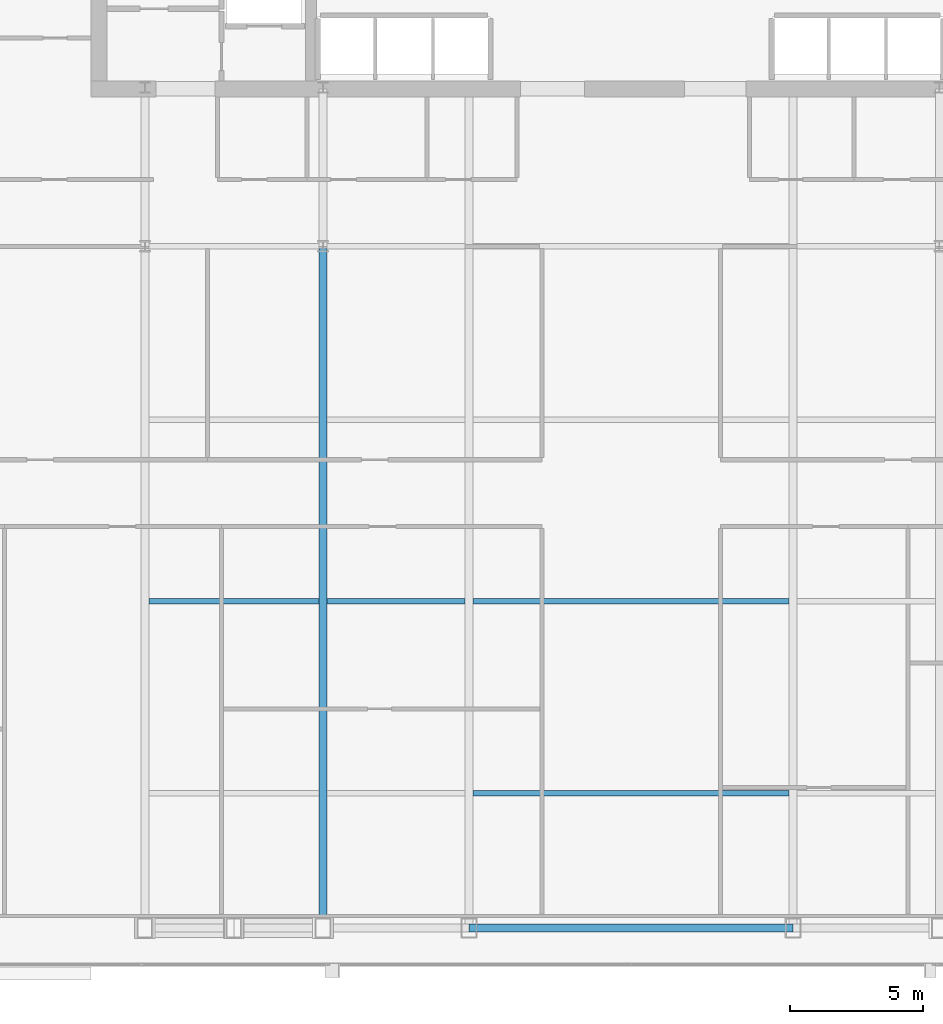
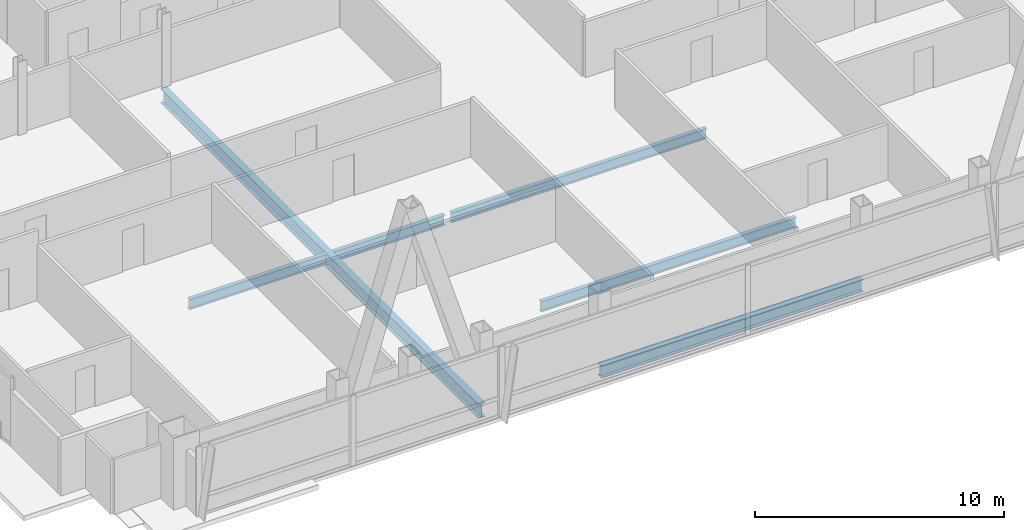
# One storey, part 9 of 32: 6 beams.
"""IFC4 building model written with IfcOpenShell, lengths in metres."""

from ifc_helpers import new_model, si_unit, direction, frame, origin, origin_2d, place, context, subcontext, project, spatial, i_section, extrude, material, material_profile, profile_set, type_object, element, save


model = new_model("IFC4")

# Units and contexts
model_context = context("Model", 3, precision=1e-05, world=origin(), true_north=direction((0.0, 1.0)))
body_context = subcontext(model_context, "Body", "Model", "MODEL_VIEW")
ifc_project = project(units=[si_unit("LENGTHUNIT", "METRE"), si_unit("AREAUNIT", "SQUARE_METRE"), si_unit("VOLUMEUNIT", "CUBIC_METRE"), si_unit("PLANEANGLEUNIT", "RADIAN"), si_unit("MASSUNIT", "GRAM", prefix="KILO")], contexts=[model_context])

# Site, building, storey
site_placement = place(None, origin())
site = spatial("IfcSite", under=ifc_project, at=site_placement, CompositionType="ELEMENT")
building_placement = place(site_placement, origin())
building = spatial("IfcBuilding", under=site, at=building_placement, Name="Khoronbel Lancet Exchange", CompositionType="ELEMENT")
storey_placement = place(building_placement, frame((0.0, 0.0, 188.60009765625)))
storey = spatial("IfcBuildingStorey", under=building, at=storey_placement, Name="L47", CompositionType="ELEMENT", Elevation=188.60009765625)

# Beams
ifc_material = material(Name="Steel S355", Category="steel")
ifc_material_profile_1 = material_profile(ifc_material, i_section(OverallWidth=0.300048828125, OverallDepth=0.699951171875, WebThickness=0.01708984375, FlangeThickness=0.031982421875, at=origin_2d()), Name="HEB 700")
ifc_profile_set_1 = profile_set([ifc_material_profile_1], Name="Steel S355")
beam_type_1 = type_object("IfcBeamType", Name="BM-BG3", PredefinedType="BEAM", material=ifc_profile_set_1)
beam_1_placement = place(storey_placement, frame((24.89990234375, 10.14990234375, -0.510009765625), z_axis=(0.0, 1.0, 0.0), x_axis=(-1.0, 0.0, 0.0)))
element("IfcBeam", 1, at=beam_1_placement, inside=storey, type_object=beam_type_1, Name="Level L47 south primary girder GS2", PredefinedType="BEAM", context=body_context, shape_type="SweptSolid", body=[
    extrude(i_section(OverallWidth=0.300048828125, OverallDepth=0.699951171875, WebThickness=0.01708984375, FlangeThickness=0.031982421875, at=origin_2d()), origin(), (0.0, 0.0, 1.0), 25.550048828125),
])
ifc_material_profile_2 = material_profile(ifc_material, i_section(OverallWidth=0.199951171875, OverallDepth=0.5, WebThickness=0.01025390625, FlangeThickness=0.01611328125, at=origin_2d()), Name="IPE 500")
ifc_profile_set_2 = profile_set([ifc_material_profile_2], Name="Steel S355")
beam_type_2 = type_object("IfcBeamType", Name="BM-BJ3", PredefinedType="JOIST", material=ifc_profile_set_2)
beam_2_placement = place(storey_placement, frame((30.52490234375, 15.199951171875, -0.41015625), z_axis=(1.0, 0.0, 0.0), x_axis=(0.0, 1.0, 0.0)))
element("IfcBeam", 2, at=beam_2_placement, inside=storey, type_object=beam_type_2, Name="Level L47 secondary composite joist J03", PredefinedType="JOIST", context=body_context, shape_type="SweptSolid", body=[
    extrude(i_section(OverallWidth=0.199951171875, OverallDepth=0.5, WebThickness=0.01025390625, FlangeThickness=0.01611328125, at=origin_2d()), origin(), (0.0, 0.0, 1.0), 11.85009765625),
])
beam_3_placement = place(storey_placement, frame((18.375, 22.39990234375, -0.41015625), z_axis=(1.0, 0.0, 0.0), x_axis=(0.0, 1.0, 0.0)))
element("IfcBeam", 3, at=beam_3_placement, inside=storey, type_object=beam_type_2, Name="Level L47 secondary composite joist J06", PredefinedType="JOIST", context=body_context, shape_type="SweptSolid", body=[
    extrude(i_section(OverallWidth=0.199951171875, OverallDepth=0.5, WebThickness=0.01025390625, FlangeThickness=0.01611328125, at=origin_2d()), origin(), (0.0, 0.0, 1.0), 6.375),
])
beam_4_placement = place(storey_placement, frame((25.050048828125, 22.39990234375, -0.41015625), z_axis=(1.0, 0.0, 0.0), x_axis=(0.0, 1.0, 0.0)))
element("IfcBeam", 4, at=beam_4_placement, inside=storey, type_object=beam_type_2, Name="Level L47 secondary composite joist J07", PredefinedType="JOIST", context=body_context, shape_type="SweptSolid", body=[
    extrude(i_section(OverallWidth=0.199951171875, OverallDepth=0.5, WebThickness=0.01025390625, FlangeThickness=0.01611328125, at=origin_2d()), origin(), (0.0, 0.0, 1.0), 5.175048828125),
])
beam_5_placement = place(storey_placement, frame((30.52490234375, 22.39990234375, -0.41015625), z_axis=(1.0, 0.0, 0.0), x_axis=(0.0, 1.0, 0.0)))
element("IfcBeam", 5, at=beam_5_placement, inside=storey, type_object=beam_type_2, Name="Level L47 secondary composite joist J08", PredefinedType="JOIST", context=body_context, shape_type="SweptSolid", body=[
    extrude(i_section(OverallWidth=0.199951171875, OverallDepth=0.5, WebThickness=0.01025390625, FlangeThickness=0.01611328125, at=origin_2d()), origin(), (0.0, 0.0, 1.0), 11.85009765625),
])
ifc_material_profile_3 = material_profile(ifc_material, i_section(OverallWidth=0.300048828125, OverallDepth=0.60009765625, WebThickness=0.015380859375, FlangeThickness=0.030029296875, at=origin_2d()), Name="HEB 600")
ifc_profile_set_3 = profile_set([ifc_material_profile_3], Name="Steel S355")
beam_type_3 = type_object("IfcBeamType", Name="BM-BSP2", PredefinedType="SPANDREL", material=ifc_profile_set_3)
beam_6_placement = place(storey_placement, frame((30.375, 10.14990234375, -0.460205078125), z_axis=(1.0, 0.0, 0.0), x_axis=(0.0, 1.0, 0.0)))
element("IfcBeam", 6, at=beam_6_placement, inside=storey, type_object=beam_type_3, Name="Level L47 perimeter spandrel beam SP04", PredefinedType="SPANDREL", context=body_context, shape_type="SweptSolid", body=[
    extrude(i_section(OverallWidth=0.300048828125, OverallDepth=0.60009765625, WebThickness=0.015380859375, FlangeThickness=0.030029296875, at=origin_2d()), origin(), (0.0, 0.0, 1.0), 12.14990234375),
])

save(model, "model.ifc")
